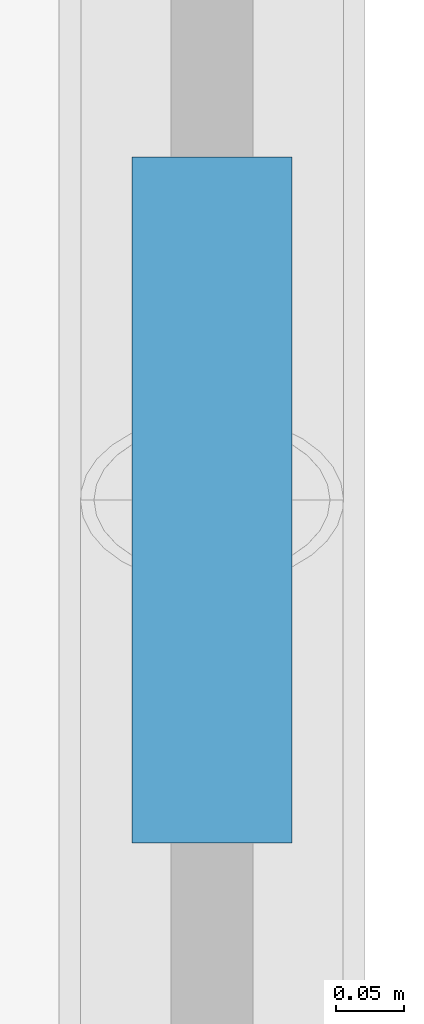
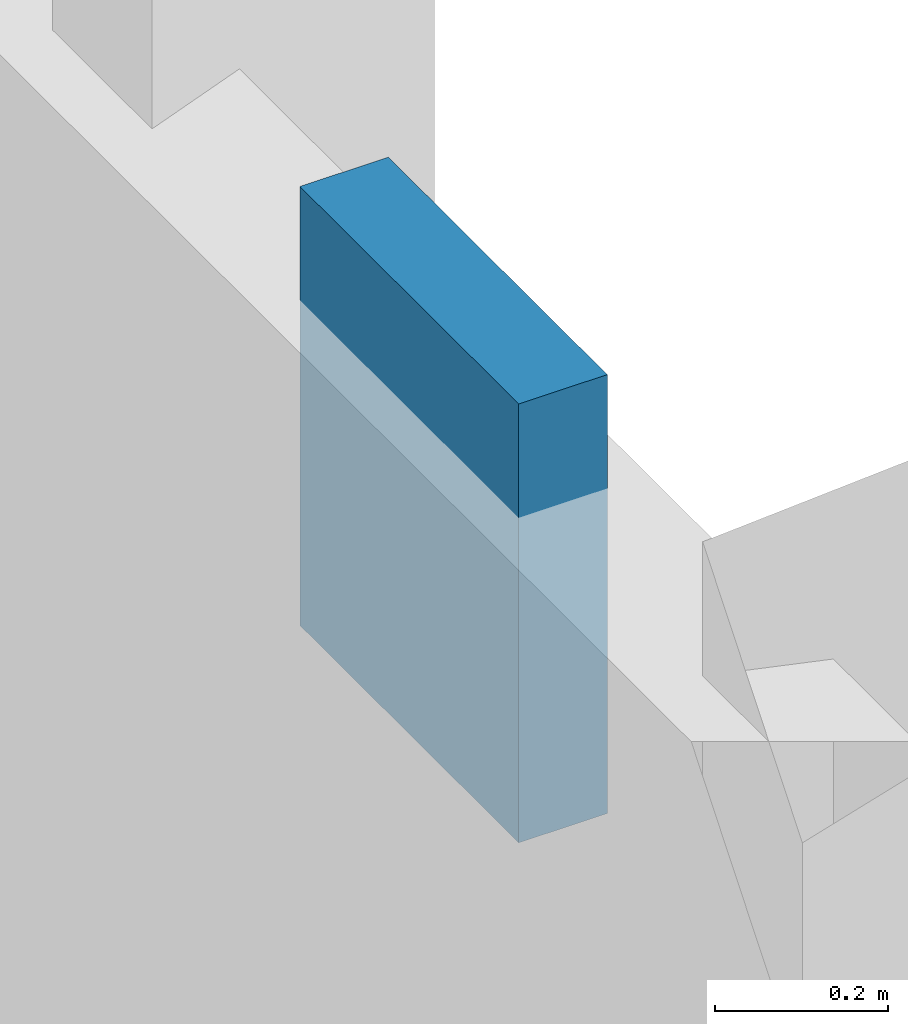
# One storey, part 39 of 61: 1 plate.
"""IFC4 building model written with IfcOpenShell, lengths in metres."""

from ifc_helpers import new_model, si_unit, direction, frame, origin, origin_2d, place, context, subcontext, project, spatial, rectangle, extrude, material, layer, layer_set, type_object, element, save


model = new_model("IFC4")

# Units and contexts
model_context = context("Model", 3, precision=1e-05, world=origin(), true_north=direction((0.0, 1.0)))
body_context = subcontext(model_context, "Body", "Model", "MODEL_VIEW")
ifc_project = project(units=[si_unit("LENGTHUNIT", "METRE"), si_unit("AREAUNIT", "SQUARE_METRE"), si_unit("VOLUMEUNIT", "CUBIC_METRE"), si_unit("PLANEANGLEUNIT", "RADIAN"), si_unit("MASSUNIT", "GRAM", prefix="KILO")], contexts=[model_context])

# Site, building, storey
site_placement = place(None, origin())
site = spatial("IfcSite", under=ifc_project, at=site_placement, CompositionType="ELEMENT")
building_placement = place(site_placement, origin())
building = spatial("IfcBuilding", under=site, at=building_placement, Name="Kolvemor Railside Polytechnic", CompositionType="ELEMENT")
storey_placement = place(building_placement, frame((0.0, 0.0, 10.199951171875)))
storey = spatial("IfcBuildingStorey", under=building, at=storey_placement, Name="L02", CompositionType="ELEMENT", Elevation=10.199951171875)

# Plate
ifc_material = material(Name="Steel S355", Category="steel")
ifc_layer = layer(ifc_material, 0.117919921875, Name="PLT-GUSSET-11")
ifc_layer_set = layer_set([ifc_layer], Name="Steel S355")
plate_type = type_object("IfcPlateType", Name="PLT-GUSSET-11", PredefinedType="USERDEFINED", material=ifc_layer_set)
plate_placement = place(storey_placement, frame((182.39990234375, 72.60009765625, 3.34130859375), z_axis=(0.0, 0.0, 1.0), x_axis=(0.0, 1.0, 0.0)))
element("IfcPlate", 1, at=plate_placement, inside=storey, type_object=plate_type, Name="Brace Chevron Gusset Plate GP-BR27", ObjectType="GUSSET PLATE", PredefinedType="USERDEFINED", context=body_context, shape_type="SweptSolid", body=[
    extrude(rectangle(XDim=0.5048828125, YDim=0.117919921875, at=origin_2d()), origin(), (0.0, 0.0, 1.0), 0.617919921875),
])

save(model, "model.ifc")
